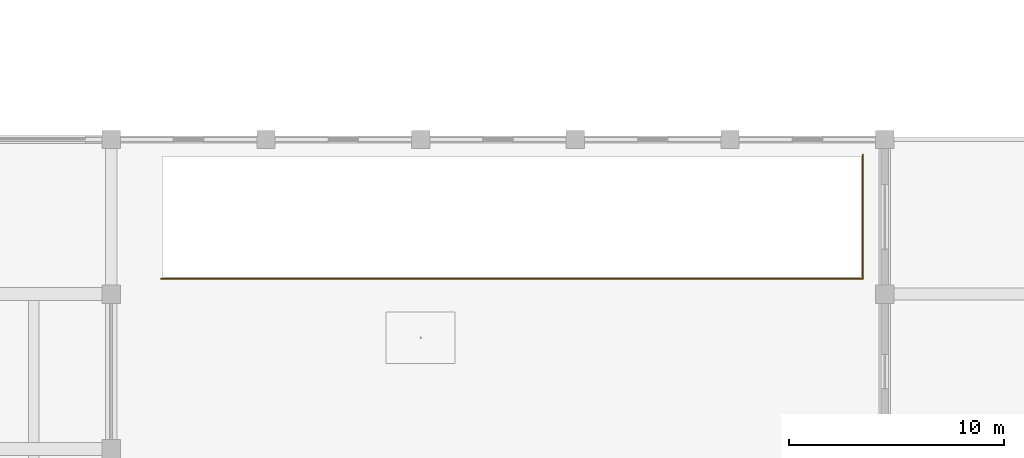
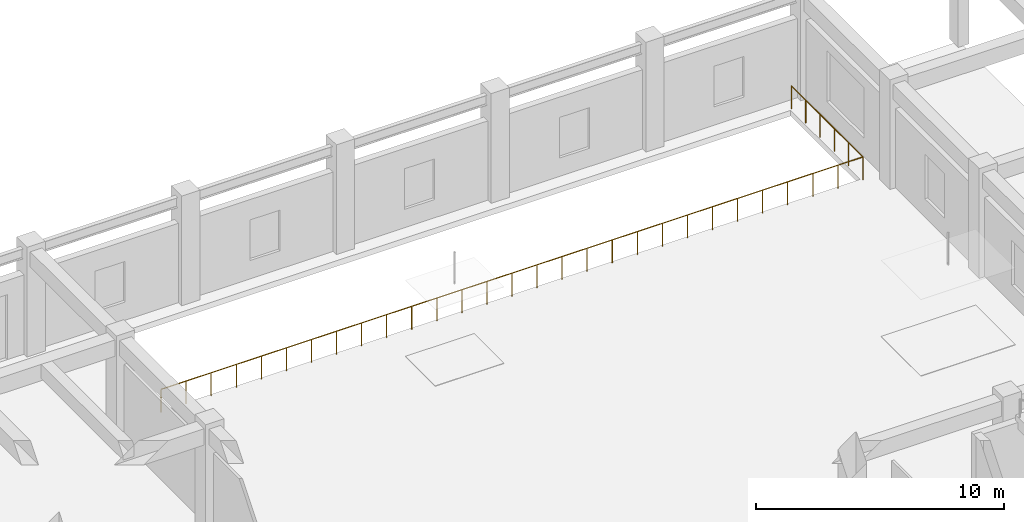
# One storey, part 56 of 56: 2 railings.
"""IFC4 building model written with IfcOpenShell, lengths in metres."""

import ifcopenshell
import ifcopenshell.guid

model = None  # the IFC model being written
_history = None  # IfcOwnerHistory: only IFC2X3 demands one
_inside = {}  # id of a spatial element -> (the spatial element, [elements in it])
_under = {}  # id of a project, library or spatial element -> (it, [spatial elements below it])
_declared = {}  # id of a project -> (the project, [libraries it declares])
_typed = {}  # id of a type object -> (the type object, [elements of that type])
_made_of = {}  # id of a material, layer set ... -> (it, [elements and type objects made of it])


def new_model(schema):
    """Start an empty IFC model of exactly this schema.

    Asked for "IFC4X3", IfcOpenShell would pick the latest addendum, in which some entities
    have other attributes; the version numbers below select the first issue.
    IFC2X3 requires an IfcOwnerHistory on every rooted entity: one is made here for all.
    """
    global model, _history
    if schema == "IFC4X3":
        model = ifcopenshell.file(schema_version=(4, 3, 0, 0))
    else:
        model = ifcopenshell.file(schema=schema)
    _inside.clear()
    _under.clear()
    _declared.clear()
    _typed.clear()
    _made_of.clear()
    _history = None
    if model.schema == "IFC2X3":
        org = make("IfcOrganization", Name="unknown")
        user = make(
            "IfcPersonAndOrganization",
            ThePerson=make("IfcPerson", FamilyName="unknown"),
            TheOrganization=org,
        )
        app = make(
            "IfcApplication",
            ApplicationDeveloper=org,
            Version="unknown",
            ApplicationFullName="unknown",
            ApplicationIdentifier="unknown",
        )
        _history = make(
            "IfcOwnerHistory",
            OwningUser=user,
            OwningApplication=app,
            ChangeAction="ADDED",
            CreationDate=0,
        )
    return model


def make(cls, **values):
    """One entity of the class cls with the attributes given. An attribute that is None is left unset."""
    return model.create_entity(
        cls, **{name: value for name, value in values.items() if value is not None}
    )


def rooted(cls, **values):
    """An entity with a GlobalId (a new one), such as an element, a storey or a relation."""
    return make(cls, GlobalId=ifcopenshell.guid.new(), OwnerHistory=_history, **values)


def si_unit(unit_type, name, prefix=None):
    """IfcSIUnit, for example si_unit("LENGTHUNIT", "METRE", prefix="MILLI")."""
    return make("IfcSIUnit", UnitType=unit_type, Prefix=prefix, Name=name)


def assignment(units):
    """IfcUnitAssignment: the units of a project."""
    return None if units is None else make("IfcUnitAssignment", Units=units)


def point(xyz):
    """IfcCartesianPoint."""
    return None if xyz is None else make("IfcCartesianPoint", Coordinates=xyz)


def direction(xyz):
    """IfcDirection."""
    return None if xyz is None else make("IfcDirection", DirectionRatios=xyz)


def frame(location, z_axis=None, x_axis=None):
    """IfcAxis2Placement3D, a coordinate frame: its origin and axes. An axis left out is left unset."""
    return make(
        "IfcAxis2Placement3D",
        Location=point(location),
        Axis=direction(z_axis),
        RefDirection=direction(x_axis),
    )


def frame_2d(location, x_axis=None):
    """IfcAxis2Placement2D, a coordinate frame in the plane: its origin and x axis."""
    return make(
        "IfcAxis2Placement2D", Location=point(location), RefDirection=direction(x_axis)
    )


def origin():
    """The frame at (0, 0, 0) with its axes left unset."""
    return frame((0.0, 0.0, 0.0))


def origin_2d():
    """The frame at (0, 0) in the plane with its x axis left unset."""
    return frame_2d((0.0, 0.0))


def place(relative_to, where):
    """IfcLocalPlacement: puts the frame where relative to a parent placement (None: the world)."""
    return make(
        "IfcLocalPlacement", PlacementRelTo=relative_to, RelativePlacement=where
    )


def context(
    kind, dimensions, precision=None, world=None, true_north=None, identifier=None
):
    """IfcGeometricRepresentationContext, for example the 3D "Model" context."""
    return make(
        "IfcGeometricRepresentationContext",
        ContextIdentifier=identifier,
        ContextType=kind,
        CoordinateSpaceDimension=dimensions,
        Precision=precision,
        WorldCoordinateSystem=world,
        TrueNorth=true_north,
    )


def subcontext(parent, identifier, kind, view, scale=None):
    """IfcGeometricRepresentationSubContext, for example "Body" below "Model"."""
    return make(
        "IfcGeometricRepresentationSubContext",
        ContextIdentifier=identifier,
        ContextType=kind,
        ParentContext=parent,
        TargetScale=scale,
        TargetView=view,
    )


def project(units=None, contexts=None):
    """IfcProject with its units and contexts."""
    return rooted(
        "IfcProject",
        Name="project",
        RepresentationContexts=contexts,
        UnitsInContext=assignment(units),
    )


def spatial(cls, under=None, at=None, **own):
    """A site, building, storey or space (cls), placed at a placement, below another one or the project."""
    s = rooted(cls, ObjectPlacement=at, **own)
    if under is not None:
        _under.setdefault(under.id(), (under, []))[1].append(s)
    return s


def profile(cls, at=None, kind="AREA", **sizes):
    """A parametric profile (cls). Its sizes go by their IFC names, for example OverallWidth=200.0."""
    return make(cls, ProfileType=kind, Position=at, **sizes)


def circle(**sizes):
    """IfcCircleProfileDef."""
    return profile("IfcCircleProfileDef", **sizes)


def extrude(swept, where, along, depth):
    """IfcExtrudedAreaSolid: the profile swept, set in the frame where, extruded along a direction by depth."""
    return make(
        "IfcExtrudedAreaSolid",
        SweptArea=swept,
        Position=where,
        ExtrudedDirection=direction(along),
        Depth=depth,
    )


def shape(context_of_items, identifier, shape_type, items):
    """IfcShapeRepresentation: the items that make up one representation, for example the "Body"."""
    return make(
        "IfcShapeRepresentation",
        ContextOfItems=context_of_items,
        RepresentationIdentifier=identifier,
        RepresentationType=shape_type,
        Items=items,
    )


def material(Name=None, Category=None):
    """IfcMaterial."""
    return make("IfcMaterial", Name=Name, Category=Category)


def made_of(thing, what):
    """Note that an element or type object is made of a material, layer set ...; save() writes the relation."""
    if what is not None:
        _made_of.setdefault(what.id(), (what, []))[1].append(thing)
    return thing


def type_object(cls, material=None, **own):
    """A type object (cls), such as IfcWallType, which elements share."""
    return made_of(rooted(cls, **own), material)


def element(
    cls,
    number,
    at=None,
    inside=None,
    cuts=None,
    type_object=None,
    material=None,
    context=None,
    identifier="Body",
    shape_type=None,
    held_by="IfcProductDefinitionShape",
    body=None,
    shapes=None,
    **own,
):
    """One element of the class cls, such as IfcWall. Its Tag is "e" and its number.

    at: its placement. inside: the storey or other place that contains it. cuts: it is an
    opening in that element (IfcRelVoidsElement). A single representation is given by context,
    identifier, shape_type and body (its items); several are given by shapes. held_by: the class
    of the entity that holds the representations. save() writes the other relations.
    """
    e = rooted(cls, Tag="e%d" % number, ObjectPlacement=at, **own)
    if body is not None:
        shapes = [shape(context, identifier, shape_type, body)]
    if shapes is not None:
        e.Representation = make(held_by, Representations=shapes)
    if inside is not None:
        _inside.setdefault(inside.id(), (inside, []))[1].append(e)
    if cuts is not None:
        rooted(
            "IfcRelVoidsElement", RelatingBuildingElement=cuts, RelatedOpeningElement=e
        )
    if type_object is not None:
        _typed.setdefault(type_object.id(), (type_object, []))[1].append(e)
    return made_of(e, material)


def aggregate(whole, parts):
    """IfcRelAggregates: a whole, such as a stair, and the parts it consists of."""
    return rooted("IfcRelAggregates", RelatingObject=whole, RelatedObjects=parts)


def save(model, path):
    """Write the relations noted so far, then the file.

    IfcRelAggregates (storeys below a building ...), IfcRelContainedInSpatialStructure (elements
    in a storey), IfcRelDefinesByType, IfcRelAssociatesMaterial and IfcRelDeclares: one each for
    every whole, place, type object, material and project.
    """
    for whole, parts in _under.values():
        aggregate(whole, parts)
    for where, things in _inside.values():
        rooted(
            "IfcRelContainedInSpatialStructure",
            RelatedElements=things,
            RelatingStructure=where,
        )
    for kind, things in _typed.values():
        rooted("IfcRelDefinesByType", RelatedObjects=things, RelatingType=kind)
    for what, things in _made_of.values():
        rooted("IfcRelAssociatesMaterial", RelatedObjects=things, RelatingMaterial=what)
    for by, libraries in _declared.values():
        rooted("IfcRelDeclares", RelatingContext=by, RelatedDefinitions=libraries)
    model.write(path)


model = new_model("IFC4")

# Units and contexts
model_context = context("Model", 3, precision=1e-05, world=origin(), true_north=direction((0.0, 1.0)))
body_context = subcontext(model_context, "Body", "Model", "MODEL_VIEW")
ifc_project = project(units=[si_unit("LENGTHUNIT", "METRE"), si_unit("AREAUNIT", "SQUARE_METRE"), si_unit("VOLUMEUNIT", "CUBIC_METRE"), si_unit("PLANEANGLEUNIT", "RADIAN"), si_unit("MASSUNIT", "GRAM", prefix="KILO")], contexts=[model_context])

# Site, building, storey
site_placement = place(None, origin())
site = spatial("IfcSite", under=ifc_project, at=site_placement, CompositionType="ELEMENT")
building_placement = place(site_placement, origin())
building = spatial("IfcBuilding", under=site, at=building_placement, Name="Kazehaya Institute of Natural Sciences", CompositionType="ELEMENT")
storey_placement = place(building_placement, origin())
storey = spatial("IfcBuildingStorey", under=building, at=storey_placement, Name="L00", CompositionType="ELEMENT", Elevation=0.0)

# Railings
ifc_material = material(Name="Structural steel SN490B", Category="steel")
railing_type = type_object("IfcRailingType", Name="RL-GUARD-VOID", PredefinedType="GUARDRAIL", material=ifc_material)
railing_1_placement = place(storey_placement, frame((128.919921875, 36.320068359375, 0.0)))
element("IfcRailing", 1, at=railing_1_placement, inside=storey, type_object=railing_type, Name="L00 void guard GRD-L00-031", PredefinedType="GUARDRAIL", context=body_context, shape_type="SweptSolid", body=[
    extrude(circle(Radius=0.02392578125, at=origin_2d()), frame((0.0, 0.0, 1.1259765625), z_axis=(1.0, 0.0, 0.0), x_axis=(0.0, 1.0, 0.0)), (0.0, 0.0, 1.0), 32.66015625),
    extrude(circle(Radius=0.02099609375, at=origin_2d()), origin(), (0.0, 0.0, 1.0), 1.101806640625),
    extrude(circle(Radius=0.02099609375, at=origin_2d()), frame((1.16650390625, 0.0, 0.0)), (0.0, 0.0, 1.0), 1.101806640625),
    extrude(circle(Radius=0.02099609375, at=origin_2d()), frame((2.332763671875, 0.0, 0.0)), (0.0, 0.0, 1.0), 1.101806640625),
    extrude(circle(Radius=0.02099609375, at=origin_2d()), frame((3.499267578125, 0.0, 0.0)), (0.0, 0.0, 1.0), 1.101806640625),
    extrude(circle(Radius=0.02099609375, at=origin_2d()), frame((4.665771484375, 0.0, 0.0)), (0.0, 0.0, 1.0), 1.101806640625),
    extrude(circle(Radius=0.02099609375, at=origin_2d()), frame((5.832275390625, 0.0, 0.0)), (0.0, 0.0, 1.0), 1.101806640625),
    extrude(circle(Radius=0.02099609375, at=origin_2d()), frame((6.99853515625, 0.0, 0.0)), (0.0, 0.0, 1.0), 1.101806640625),
    extrude(circle(Radius=0.02099609375, at=origin_2d()), frame((8.1650390625, 0.0, 0.0)), (0.0, 0.0, 1.0), 1.101806640625),
    extrude(circle(Radius=0.02099609375, at=origin_2d()), frame((9.33154296875, 0.0, 0.0)), (0.0, 0.0, 1.0), 1.101806640625),
    extrude(circle(Radius=0.02099609375, at=origin_2d()), frame((10.497802734375, 0.0, 0.0)), (0.0, 0.0, 1.0), 1.101806640625),
    extrude(circle(Radius=0.02099609375, at=origin_2d()), frame((11.664306640625, 0.0, 0.0)), (0.0, 0.0, 1.0), 1.101806640625),
    extrude(circle(Radius=0.02099609375, at=origin_2d()), frame((12.830810546875, 0.0, 0.0)), (0.0, 0.0, 1.0), 1.101806640625),
    extrude(circle(Radius=0.02099609375, at=origin_2d()), frame((13.997314453125, 0.0, 0.0)), (0.0, 0.0, 1.0), 1.101806640625),
    extrude(circle(Radius=0.02099609375, at=origin_2d()), frame((15.16357421875, 0.0, 0.0)), (0.0, 0.0, 1.0), 1.101806640625),
    extrude(circle(Radius=0.02099609375, at=origin_2d()), frame((16.330078125, 0.0, 0.0)), (0.0, 0.0, 1.0), 1.101806640625),
    extrude(circle(Radius=0.02099609375, at=origin_2d()), frame((17.49658203125, 0.0, 0.0)), (0.0, 0.0, 1.0), 1.101806640625),
    extrude(circle(Radius=0.02099609375, at=origin_2d()), frame((18.662841796875, 0.0, 0.0)), (0.0, 0.0, 1.0), 1.101806640625),
    extrude(circle(Radius=0.02099609375, at=origin_2d()), frame((19.829345703125, 0.0, 0.0)), (0.0, 0.0, 1.0), 1.101806640625),
    extrude(circle(Radius=0.02099609375, at=origin_2d()), frame((20.995849609375, 0.0, 0.0)), (0.0, 0.0, 1.0), 1.101806640625),
    extrude(circle(Radius=0.02099609375, at=origin_2d()), frame((22.162353515625, 0.0, 0.0)), (0.0, 0.0, 1.0), 1.101806640625),
    extrude(circle(Radius=0.02099609375, at=origin_2d()), frame((23.32861328125, 0.0, 0.0)), (0.0, 0.0, 1.0), 1.101806640625),
    extrude(circle(Radius=0.02099609375, at=origin_2d()), frame((24.4951171875, 0.0, 0.0)), (0.0, 0.0, 1.0), 1.101806640625),
    extrude(circle(Radius=0.02099609375, at=origin_2d()), frame((25.66162109375, 0.0, 0.0)), (0.0, 0.0, 1.0), 1.101806640625),
    extrude(circle(Radius=0.02099609375, at=origin_2d()), frame((26.827880859375, 0.0, 0.0)), (0.0, 0.0, 1.0), 1.101806640625),
    extrude(circle(Radius=0.02099609375, at=origin_2d()), frame((27.994384765625, 0.0, 0.0)), (0.0, 0.0, 1.0), 1.101806640625),
    extrude(circle(Radius=0.02099609375, at=origin_2d()), frame((29.160888671875, 0.0, 0.0)), (0.0, 0.0, 1.0), 1.101806640625),
    extrude(circle(Radius=0.02099609375, at=origin_2d()), frame((30.327392578125, 0.0, 0.0)), (0.0, 0.0, 1.0), 1.101806640625),
    extrude(circle(Radius=0.02099609375, at=origin_2d()), frame((31.49365234375, 0.0, 0.0)), (0.0, 0.0, 1.0), 1.101806640625),
    extrude(circle(Radius=0.02099609375, at=origin_2d()), frame((32.66015625, 0.0, 0.0)), (0.0, 0.0, 1.0), 1.101806640625),
])
railing_2_placement = place(storey_placement, frame((161.580078125, 36.320068359375, 0.0)))
element("IfcRailing", 2, at=railing_2_placement, inside=storey, type_object=railing_type, Name="L00 void guard GRD-L00-032", PredefinedType="GUARDRAIL", context=body_context, shape_type="SweptSolid", body=[
    extrude(circle(Radius=0.02392578125, at=origin_2d()), frame((0.0, 0.0, 1.1259765625), z_axis=(0.0, 1.0, 0.0), x_axis=(-1.0, 0.0, 0.0)), (0.0, 0.0, 1.0), 5.760009765625),
    extrude(circle(Radius=0.02099609375, at=origin_2d()), origin(), (0.0, 0.0, 1.0), 1.101806640625),
    extrude(circle(Radius=0.02099609375, at=origin_2d()), frame((0.0, 1.152099609375, 0.0)), (0.0, 0.0, 1.0), 1.101806640625),
    extrude(circle(Radius=0.02099609375, at=origin_2d()), frame((0.0, 2.303955078125, 0.0)), (0.0, 0.0, 1.0), 1.101806640625),
    extrude(circle(Radius=0.02099609375, at=origin_2d()), frame((0.0, 3.4560546875, 0.0)), (0.0, 0.0, 1.0), 1.101806640625),
    extrude(circle(Radius=0.02099609375, at=origin_2d()), frame((0.0, 4.60791015625, 0.0)), (0.0, 0.0, 1.0), 1.101806640625),
    extrude(circle(Radius=0.02099609375, at=origin_2d()), frame((0.0, 5.760009765625, 0.0)), (0.0, 0.0, 1.0), 1.101806640625),
])

save(model, "model.ifc")
